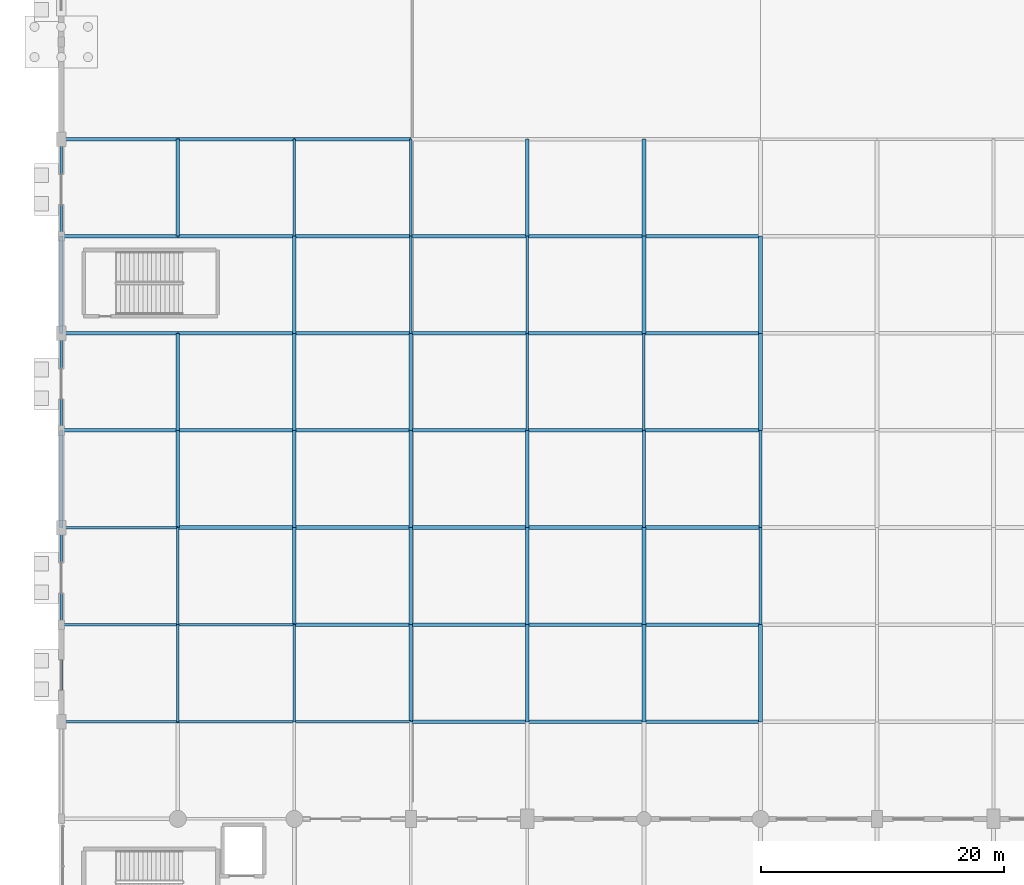
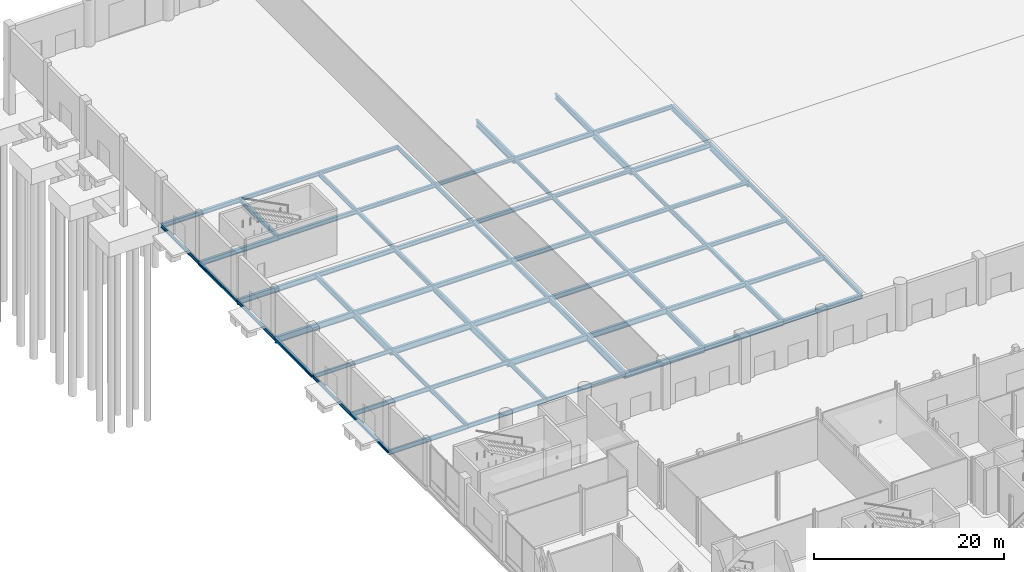
# One storey, part 48 of 124: 79 beams.
"""IFC4 building model written with IfcOpenShell, lengths in metres."""

from ifc_helpers import new_model, si_unit, direction, frame, origin, origin_2d, place, context, subcontext, project, spatial, i_section, extrude, material, material_profile, profile_set, type_object, element, save


model = new_model("IFC4")

# Units and contexts
model_context = context("Model", 3, precision=1e-05, world=origin(), true_north=direction((0.0, 1.0)))
body_context = subcontext(model_context, "Body", "Model", "MODEL_VIEW")
ifc_project = project(units=[si_unit("LENGTHUNIT", "METRE"), si_unit("AREAUNIT", "SQUARE_METRE"), si_unit("VOLUMEUNIT", "CUBIC_METRE"), si_unit("PLANEANGLEUNIT", "RADIAN"), si_unit("MASSUNIT", "GRAM", prefix="KILO")], contexts=[model_context])

# Site, building, storey
site_placement = place(None, origin())
site = spatial("IfcSite", under=ifc_project, at=site_placement, CompositionType="ELEMENT")
building_placement = place(site_placement, origin())
building = spatial("IfcBuilding", under=site, at=building_placement, Name="Danafjord Basin Convention Centre", CompositionType="ELEMENT")
storey_placement = place(building_placement, origin())
storey = spatial("IfcBuildingStorey", under=building, at=storey_placement, Name="L00", CompositionType="ELEMENT", Elevation=0.0)

# Beams
ifc_material = material(Name="Steel S355", Category="steel")
ifc_material_profile_1 = material_profile(ifc_material, i_section(OverallWidth=0.300048828125, OverallDepth=0.489990234375, WebThickness=0.011962890625, FlangeThickness=0.02294921875, FilletRadius=0.027099609375, at=origin_2d()), Name="HEA 500")
ifc_profile_set_1 = profile_set([ifc_material_profile_1], Name="Steel S355")
beam_type_1 = type_object("IfcBeamType", Name="BEAM-BM-HEA500", PredefinedType="BEAM", material=ifc_profile_set_1)
beam_1_placement = place(storey_placement, frame((48.0, 104.0, -0.6650390625), z_axis=(1.0, 0.0, 0.0), x_axis=(0.0, 1.0, 0.0)))
element("IfcBeam", 1, at=beam_1_placement, inside=storey, type_object=beam_type_1, Name="L00 girder BM-HEA500", PredefinedType="BEAM", context=body_context, shape_type="SweptSolid", body=[
    extrude(i_section(OverallWidth=0.300048828125, OverallDepth=0.489990234375, WebThickness=0.011962890625, FlangeThickness=0.02294921875, FilletRadius=0.027099609375, at=origin_2d()), origin(), (0.0, 0.0, 1.0), 9.60009765625),
])
ifc_material_profile_2 = material_profile(ifc_material, i_section(OverallWidth=0.300048828125, OverallDepth=0.590087890625, WebThickness=0.012939453125, FlangeThickness=0.02490234375, FilletRadius=0.027099609375, at=origin_2d()), Name="HEA 600")
ifc_profile_set_2 = profile_set([ifc_material_profile_2], Name="Steel S355")
beam_type_2 = type_object("IfcBeamType", Name="BEAM-BM-HEA600", PredefinedType="BEAM", material=ifc_profile_set_2)
for number, where, z_axis, x_axis, name in (
    (2, (38.39990234375, 104.0, -0.715087890625), (1.0, 0.0, 0.0), (0.0, 1.0, 0.0), "L00 girder BM-HEA600"),
    (3, (48.0, 96.0, -0.7451171875), (1.0, 0.0, 0.0), (0.0, 1.0, 0.0), "L00 girder BM-HEA600"),
):
    element("IfcBeam", number, at=place(storey_placement, frame(where, z_axis=z_axis, x_axis=x_axis)), inside=storey, type_object=beam_type_2, Name=name, PredefinedType="BEAM", context=body_context, shape_type="SweptSolid", body=[
        extrude(i_section(OverallWidth=0.300048828125, OverallDepth=0.590087890625, WebThickness=0.012939453125, FlangeThickness=0.02490234375, FilletRadius=0.027099609375, at=origin_2d()), origin(), (0.0, 0.0, 1.0), 9.60009765625),
    ])
ifc_material_profile_3 = material_profile(ifc_material, i_section(OverallWidth=0.300048828125, OverallDepth=0.449951171875, WebThickness=0.013916015625, FlangeThickness=0.02587890625, FilletRadius=0.027099609375, at=origin_2d()), Name="HEB 450")
ifc_profile_set_3 = profile_set([ifc_material_profile_3], Name="Steel S355")
beam_type_3 = type_object("IfcBeamType", Name="BEAM-BM-HEB450", PredefinedType="BEAM", material=ifc_profile_set_3)
beam_2_placement = place(storey_placement, frame((19.199951171875, 112.0, -0.64501953125), z_axis=(1.0, 0.0, 0.0), x_axis=(0.0, 1.0, 0.0)))
element("IfcBeam", 4, at=beam_2_placement, inside=storey, type_object=beam_type_3, Name="L00 girder BM-HEB450", PredefinedType="BEAM", context=body_context, shape_type="SweptSolid", body=[
    extrude(i_section(OverallWidth=0.300048828125, OverallDepth=0.449951171875, WebThickness=0.013916015625, FlangeThickness=0.02587890625, FilletRadius=0.027099609375, at=origin_2d()), origin(), (0.0, 0.0, 1.0), 9.60009765625),
])
beam_3_placement = place(storey_placement, frame((28.800048828125, 104.0, -0.64501953125), z_axis=(1.0, 0.0, 0.0), x_axis=(0.0, 1.0, 0.0)))
element("IfcBeam", 5, at=beam_3_placement, inside=storey, type_object=beam_type_3, Name="L00 girder BM-HEB450", PredefinedType="BEAM", context=body_context, shape_type="SweptSolid", body=[
    extrude(i_section(OverallWidth=0.300048828125, OverallDepth=0.449951171875, WebThickness=0.013916015625, FlangeThickness=0.02587890625, FilletRadius=0.027099609375, at=origin_2d()), origin(), (0.0, 0.0, 1.0), 9.599853515625),
])
for number, where, z_axis, x_axis, name in (
    (6, (38.39990234375, 96.0, -0.675048828125), (1.0, 0.0, 0.0), (0.0, 1.0, 0.0), "L00 girder BM-HEB450"),
    (7, (48.0, 88.0, -0.675048828125), (1.0, 0.0, 0.0), (0.0, 1.0, 0.0), "L00 girder BM-HEB450"),
):
    element("IfcBeam", number, at=place(storey_placement, frame(where, z_axis=z_axis, x_axis=x_axis)), inside=storey, type_object=beam_type_3, Name=name, PredefinedType="BEAM", context=body_context, shape_type="SweptSolid", body=[
        extrude(i_section(OverallWidth=0.300048828125, OverallDepth=0.449951171875, WebThickness=0.013916015625, FlangeThickness=0.02587890625, FilletRadius=0.027099609375, at=origin_2d()), origin(), (0.0, 0.0, 1.0), 9.60009765625),
    ])
ifc_material_profile_4 = material_profile(ifc_material, i_section(OverallWidth=0.300048828125, OverallDepth=0.5, WebThickness=0.014404296875, FlangeThickness=0.028076171875, FilletRadius=0.027099609375, at=origin_2d()), Name="HEB 500")
ifc_profile_set_4 = profile_set([ifc_material_profile_4], Name="Steel S355")
beam_type_4 = type_object("IfcBeamType", Name="BEAM-BM-HEB500", PredefinedType="BEAM", material=ifc_profile_set_4)
beam_4_placement = place(storey_placement, frame((9.60009765625, 112.0, -0.669921875), z_axis=(1.0, 0.0, 0.0), x_axis=(0.0, 1.0, 0.0)))
element("IfcBeam", 8, at=beam_4_placement, inside=storey, type_object=beam_type_4, Name="L00 girder BM-HEB500", PredefinedType="BEAM", context=body_context, shape_type="SweptSolid", body=[
    extrude(i_section(OverallWidth=0.300048828125, OverallDepth=0.5, WebThickness=0.014404296875, FlangeThickness=0.028076171875, FilletRadius=0.027099609375, at=origin_2d()), origin(), (0.0, 0.0, 1.0), 9.599853515625),
])
beam_5_placement = place(storey_placement, frame((19.199951171875, 104.0, -0.669921875), z_axis=(1.0, 0.0, 0.0), x_axis=(0.0, 1.0, 0.0)))
element("IfcBeam", 9, at=beam_5_placement, inside=storey, type_object=beam_type_4, Name="L00 girder BM-HEB500", PredefinedType="BEAM", context=body_context, shape_type="SweptSolid", body=[
    extrude(i_section(OverallWidth=0.300048828125, OverallDepth=0.5, WebThickness=0.014404296875, FlangeThickness=0.028076171875, FilletRadius=0.027099609375, at=origin_2d()), origin(), (0.0, 0.0, 1.0), 9.60009765625),
])
beam_6_placement = place(storey_placement, frame((28.800048828125, 96.0, -0.699951171875), z_axis=(1.0, 0.0, 0.0), x_axis=(0.0, 1.0, 0.0)))
element("IfcBeam", 10, at=beam_6_placement, inside=storey, type_object=beam_type_4, Name="L00 girder BM-HEB500", PredefinedType="BEAM", context=body_context, shape_type="SweptSolid", body=[
    extrude(i_section(OverallWidth=0.300048828125, OverallDepth=0.5, WebThickness=0.014404296875, FlangeThickness=0.028076171875, FilletRadius=0.027099609375, at=origin_2d()), origin(), (0.0, 0.0, 1.0), 9.599853515625),
])
for number, where, z_axis, x_axis, name in (
    (11, (38.39990234375, 88.0, -0.699951171875), (1.0, 0.0, 0.0), (0.0, 1.0, 0.0), "L00 girder BM-HEB500"),
    (12, (48.0, 80.0, -0.699951171875), (1.0, 0.0, 0.0), (0.0, 1.0, 0.0), "L00 girder BM-HEB500"),
):
    element("IfcBeam", number, at=place(storey_placement, frame(where, z_axis=z_axis, x_axis=x_axis)), inside=storey, type_object=beam_type_4, Name=name, PredefinedType="BEAM", context=body_context, shape_type="SweptSolid", body=[
        extrude(i_section(OverallWidth=0.300048828125, OverallDepth=0.5, WebThickness=0.014404296875, FlangeThickness=0.028076171875, FilletRadius=0.027099609375, at=origin_2d()), origin(), (0.0, 0.0, 1.0), 9.60009765625),
    ])
for number, where, z_axis, x_axis, name in (
    (13, (9.60009765625, 104.0, -0.669921875), (0.0, 1.0, 0.0), (-1.0, 0.0, 0.0), "L00 transverse girder BM-HEB500"),
    (14, (19.199951171875, 96.0, -0.669921875), (0.0, 1.0, 0.0), (-1.0, 0.0, 0.0), "L00 transverse girder BM-HEB500"),
    (15, (28.800048828125, 88.0, -0.699951171875), (0.0, 1.0, 0.0), (-1.0, 0.0, 0.0), "L00 transverse girder BM-HEB500"),
    (16, (38.39990234375, 80.0, -0.699951171875), (0.0, 1.0, 0.0), (-1.0, 0.0, 0.0), "L00 transverse girder BM-HEB500"),
    (17, (48.0, 72.0, -0.699951171875), (0.0, 1.0, 0.0), (-1.0, 0.0, 0.0), "L00 transverse girder BM-HEB500"),
    (18, (57.60009765625, 64.0, -0.699951171875), (0.0, 1.0, 0.0), (-1.0, 0.0, 0.0), "L00 transverse girder BM-HEB500"),
):
    element("IfcBeam", number, at=place(storey_placement, frame(where, z_axis=z_axis, x_axis=x_axis)), inside=storey, type_object=beam_type_4, Name=name, PredefinedType="BEAM", context=body_context, shape_type="SweptSolid", body=[
        extrude(i_section(OverallWidth=0.300048828125, OverallDepth=0.5, WebThickness=0.014404296875, FlangeThickness=0.028076171875, FilletRadius=0.027099609375, at=origin_2d()), origin(), (0.0, 0.0, 1.0), 8.0),
    ])
ifc_material_profile_5 = material_profile(ifc_material, i_section(OverallWidth=0.300048828125, OverallDepth=0.550048828125, WebThickness=0.014892578125, FlangeThickness=0.029052734375, FilletRadius=0.027099609375, at=origin_2d()), Name="HEB 550")
ifc_profile_set_5 = profile_set([ifc_material_profile_5], Name="Steel S355")
beam_type_5 = type_object("IfcBeamType", Name="BEAM-BM-HEB550", PredefinedType="BEAM", material=ifc_profile_set_5)
beam_7_placement = place(storey_placement, frame((0.0, 112.0, -0.695068359375), z_axis=(1.0, 0.0, 0.0), x_axis=(0.0, 1.0, 0.0)))
element("IfcBeam", 19, at=beam_7_placement, inside=storey, type_object=beam_type_5, Name="L00 girder BM-HEB550", PredefinedType="BEAM", context=body_context, shape_type="SweptSolid", body=[
    extrude(i_section(OverallWidth=0.300048828125, OverallDepth=0.550048828125, WebThickness=0.014892578125, FlangeThickness=0.029052734375, FilletRadius=0.027099609375, at=origin_2d()), origin(), (0.0, 0.0, 1.0), 9.60009765625),
])
beam_8_placement = place(storey_placement, frame((9.60009765625, 104.0, -0.695068359375), z_axis=(1.0, 0.0, 0.0), x_axis=(0.0, 1.0, 0.0)))
element("IfcBeam", 20, at=beam_8_placement, inside=storey, type_object=beam_type_5, Name="L00 girder BM-HEB550", PredefinedType="BEAM", context=body_context, shape_type="SweptSolid", body=[
    extrude(i_section(OverallWidth=0.300048828125, OverallDepth=0.550048828125, WebThickness=0.014892578125, FlangeThickness=0.029052734375, FilletRadius=0.027099609375, at=origin_2d()), origin(), (0.0, 0.0, 1.0), 9.599853515625),
])
beam_9_placement = place(storey_placement, frame((19.199951171875, 96.0, -0.72509765625), z_axis=(1.0, 0.0, 0.0), x_axis=(0.0, 1.0, 0.0)))
element("IfcBeam", 21, at=beam_9_placement, inside=storey, type_object=beam_type_5, Name="L00 girder BM-HEB550", PredefinedType="BEAM", context=body_context, shape_type="SweptSolid", body=[
    extrude(i_section(OverallWidth=0.300048828125, OverallDepth=0.550048828125, WebThickness=0.014892578125, FlangeThickness=0.029052734375, FilletRadius=0.027099609375, at=origin_2d()), origin(), (0.0, 0.0, 1.0), 9.60009765625),
])
beam_10_placement = place(storey_placement, frame((28.800048828125, 88.0, -0.72509765625), z_axis=(1.0, 0.0, 0.0), x_axis=(0.0, 1.0, 0.0)))
element("IfcBeam", 22, at=beam_10_placement, inside=storey, type_object=beam_type_5, Name="L00 girder BM-HEB550", PredefinedType="BEAM", context=body_context, shape_type="SweptSolid", body=[
    extrude(i_section(OverallWidth=0.300048828125, OverallDepth=0.550048828125, WebThickness=0.014892578125, FlangeThickness=0.029052734375, FilletRadius=0.027099609375, at=origin_2d()), origin(), (0.0, 0.0, 1.0), 9.599853515625),
])
for number, where, z_axis, x_axis, name in (
    (23, (38.39990234375, 80.0, -0.72509765625), (1.0, 0.0, 0.0), (0.0, 1.0, 0.0), "L00 girder BM-HEB550"),
    (24, (48.0, 72.0, -0.72509765625), (1.0, 0.0, 0.0), (0.0, 1.0, 0.0), "L00 girder BM-HEB550"),
):
    element("IfcBeam", number, at=place(storey_placement, frame(where, z_axis=z_axis, x_axis=x_axis)), inside=storey, type_object=beam_type_5, Name=name, PredefinedType="BEAM", context=body_context, shape_type="SweptSolid", body=[
        extrude(i_section(OverallWidth=0.300048828125, OverallDepth=0.550048828125, WebThickness=0.014892578125, FlangeThickness=0.029052734375, FilletRadius=0.027099609375, at=origin_2d()), origin(), (0.0, 0.0, 1.0), 9.60009765625),
    ])
ifc_material_profile_6 = material_profile(ifc_material, i_section(OverallWidth=0.300048828125, OverallDepth=0.60009765625, WebThickness=0.015380859375, FlangeThickness=0.030029296875, FilletRadius=0.027099609375, at=origin_2d()), Name="HEB 600")
ifc_profile_set_6 = profile_set([ifc_material_profile_6], Name="Steel S355")
beam_type_6 = type_object("IfcBeamType", Name="BEAM-BM-HEB600", PredefinedType="BEAM", material=ifc_profile_set_6)
beam_11_placement = place(storey_placement, frame((0.0, 104.0, -0.719970703125), z_axis=(1.0, 0.0, 0.0), x_axis=(0.0, 1.0, 0.0)))
element("IfcBeam", 25, at=beam_11_placement, inside=storey, type_object=beam_type_6, Name="L00 girder BM-HEB600", PredefinedType="BEAM", context=body_context, shape_type="SweptSolid", body=[
    extrude(i_section(OverallWidth=0.300048828125, OverallDepth=0.60009765625, WebThickness=0.015380859375, FlangeThickness=0.030029296875, FilletRadius=0.027099609375, at=origin_2d()), origin(), (0.0, 0.0, 1.0), 9.60009765625),
])
beam_12_placement = place(storey_placement, frame((9.60009765625, 96.0, -0.75), z_axis=(1.0, 0.0, 0.0), x_axis=(0.0, 1.0, 0.0)))
element("IfcBeam", 26, at=beam_12_placement, inside=storey, type_object=beam_type_6, Name="L00 girder BM-HEB600", PredefinedType="BEAM", context=body_context, shape_type="SweptSolid", body=[
    extrude(i_section(OverallWidth=0.300048828125, OverallDepth=0.60009765625, WebThickness=0.015380859375, FlangeThickness=0.030029296875, FilletRadius=0.027099609375, at=origin_2d()), origin(), (0.0, 0.0, 1.0), 9.599853515625),
])
beam_13_placement = place(storey_placement, frame((19.199951171875, 88.0, -0.75), z_axis=(1.0, 0.0, 0.0), x_axis=(0.0, 1.0, 0.0)))
element("IfcBeam", 27, at=beam_13_placement, inside=storey, type_object=beam_type_6, Name="L00 girder BM-HEB600", PredefinedType="BEAM", context=body_context, shape_type="SweptSolid", body=[
    extrude(i_section(OverallWidth=0.300048828125, OverallDepth=0.60009765625, WebThickness=0.015380859375, FlangeThickness=0.030029296875, FilletRadius=0.027099609375, at=origin_2d()), origin(), (0.0, 0.0, 1.0), 9.60009765625),
])
beam_14_placement = place(storey_placement, frame((28.800048828125, 80.0, -0.75), z_axis=(1.0, 0.0, 0.0), x_axis=(0.0, 1.0, 0.0)))
element("IfcBeam", 28, at=beam_14_placement, inside=storey, type_object=beam_type_6, Name="L00 girder BM-HEB600", PredefinedType="BEAM", context=body_context, shape_type="SweptSolid", body=[
    extrude(i_section(OverallWidth=0.300048828125, OverallDepth=0.60009765625, WebThickness=0.015380859375, FlangeThickness=0.030029296875, FilletRadius=0.027099609375, at=origin_2d()), origin(), (0.0, 0.0, 1.0), 9.599853515625),
])
for number, where, z_axis, x_axis, name in (
    (29, (38.39990234375, 72.0, -0.75), (1.0, 0.0, 0.0), (0.0, 1.0, 0.0), "L00 girder BM-HEB600"),
    (30, (48.0, 64.0, -0.75), (1.0, 0.0, 0.0), (0.0, 1.0, 0.0), "L00 girder BM-HEB600"),
):
    element("IfcBeam", number, at=place(storey_placement, frame(where, z_axis=z_axis, x_axis=x_axis)), inside=storey, type_object=beam_type_6, Name=name, PredefinedType="BEAM", context=body_context, shape_type="SweptSolid", body=[
        extrude(i_section(OverallWidth=0.300048828125, OverallDepth=0.60009765625, WebThickness=0.015380859375, FlangeThickness=0.030029296875, FilletRadius=0.027099609375, at=origin_2d()), origin(), (0.0, 0.0, 1.0), 9.60009765625),
    ])
for number, where, z_axis, x_axis, name in (
    (31, (19.199951171875, 88.0, -0.75), (0.0, 1.0, 0.0), (-1.0, 0.0, 0.0), "L00 transverse girder BM-HEB600"),
    (32, (28.800048828125, 80.0, -0.75), (0.0, 1.0, 0.0), (-1.0, 0.0, 0.0), "L00 transverse girder BM-HEB600"),
    (33, (38.39990234375, 72.0, -0.75), (0.0, 1.0, 0.0), (-1.0, 0.0, 0.0), "L00 transverse girder BM-HEB600"),
    (34, (48.0, 64.0, -0.75), (0.0, 1.0, 0.0), (-1.0, 0.0, 0.0), "L00 transverse girder BM-HEB600"),
):
    element("IfcBeam", number, at=place(storey_placement, frame(where, z_axis=z_axis, x_axis=x_axis)), inside=storey, type_object=beam_type_6, Name=name, PredefinedType="BEAM", context=body_context, shape_type="SweptSolid", body=[
        extrude(i_section(OverallWidth=0.300048828125, OverallDepth=0.60009765625, WebThickness=0.015380859375, FlangeThickness=0.030029296875, FilletRadius=0.027099609375, at=origin_2d()), origin(), (0.0, 0.0, 1.0), 8.0),
    ])
ifc_material_profile_7 = material_profile(ifc_material, i_section(OverallWidth=0.300048828125, OverallDepth=0.699951171875, WebThickness=0.01708984375, FlangeThickness=0.031982421875, FilletRadius=0.027099609375, at=origin_2d()), Name="HEB 700")
ifc_profile_set_7 = profile_set([ifc_material_profile_7], Name="Steel S355")
beam_type_7 = type_object("IfcBeamType", Name="BEAM-BM-HEB700", PredefinedType="BEAM", material=ifc_profile_set_7)
beam_15_placement = place(storey_placement, frame((0.0, 96.0, -0.800048828125), z_axis=(1.0, 0.0, 0.0), x_axis=(0.0, 1.0, 0.0)))
element("IfcBeam", 35, at=beam_15_placement, inside=storey, type_object=beam_type_7, Name="L00 girder BM-HEB700", PredefinedType="BEAM", context=body_context, shape_type="SweptSolid", body=[
    extrude(i_section(OverallWidth=0.300048828125, OverallDepth=0.699951171875, WebThickness=0.01708984375, FlangeThickness=0.031982421875, FilletRadius=0.027099609375, at=origin_2d()), origin(), (0.0, 0.0, 1.0), 9.60009765625),
])
beam_16_placement = place(storey_placement, frame((9.60009765625, 88.0, -0.800048828125), z_axis=(1.0, 0.0, 0.0), x_axis=(0.0, 1.0, 0.0)))
element("IfcBeam", 36, at=beam_16_placement, inside=storey, type_object=beam_type_7, Name="L00 girder BM-HEB700", PredefinedType="BEAM", context=body_context, shape_type="SweptSolid", body=[
    extrude(i_section(OverallWidth=0.300048828125, OverallDepth=0.699951171875, WebThickness=0.01708984375, FlangeThickness=0.031982421875, FilletRadius=0.027099609375, at=origin_2d()), origin(), (0.0, 0.0, 1.0), 9.599853515625),
])
beam_17_placement = place(storey_placement, frame((19.199951171875, 80.0, -0.800048828125), z_axis=(1.0, 0.0, 0.0), x_axis=(0.0, 1.0, 0.0)))
element("IfcBeam", 37, at=beam_17_placement, inside=storey, type_object=beam_type_7, Name="L00 girder BM-HEB700", PredefinedType="BEAM", context=body_context, shape_type="SweptSolid", body=[
    extrude(i_section(OverallWidth=0.300048828125, OverallDepth=0.699951171875, WebThickness=0.01708984375, FlangeThickness=0.031982421875, FilletRadius=0.027099609375, at=origin_2d()), origin(), (0.0, 0.0, 1.0), 9.60009765625),
])
beam_18_placement = place(storey_placement, frame((28.800048828125, 72.0, -0.800048828125), z_axis=(1.0, 0.0, 0.0), x_axis=(0.0, 1.0, 0.0)))
element("IfcBeam", 38, at=beam_18_placement, inside=storey, type_object=beam_type_7, Name="L00 girder BM-HEB700", PredefinedType="BEAM", context=body_context, shape_type="SweptSolid", body=[
    extrude(i_section(OverallWidth=0.300048828125, OverallDepth=0.699951171875, WebThickness=0.01708984375, FlangeThickness=0.031982421875, FilletRadius=0.027099609375, at=origin_2d()), origin(), (0.0, 0.0, 1.0), 9.599853515625),
])
beam_19_placement = place(storey_placement, frame((38.39990234375, 64.0, -0.800048828125), z_axis=(1.0, 0.0, 0.0), x_axis=(0.0, 1.0, 0.0)))
element("IfcBeam", 39, at=beam_19_placement, inside=storey, type_object=beam_type_7, Name="L00 girder BM-HEB700", PredefinedType="BEAM", context=body_context, shape_type="SweptSolid", body=[
    extrude(i_section(OverallWidth=0.300048828125, OverallDepth=0.699951171875, WebThickness=0.01708984375, FlangeThickness=0.031982421875, FilletRadius=0.027099609375, at=origin_2d()), origin(), (0.0, 0.0, 1.0), 9.60009765625),
])
for number, where, z_axis, x_axis, name in (
    (40, (9.60009765625, 88.0, -0.800048828125), (0.0, 1.0, 0.0), (-1.0, 0.0, 0.0), "L00 transverse girder BM-HEB700"),
    (41, (19.199951171875, 80.0, -0.800048828125), (0.0, 1.0, 0.0), (-1.0, 0.0, 0.0), "L00 transverse girder BM-HEB700"),
    (42, (28.800048828125, 72.0, -0.800048828125), (0.0, 1.0, 0.0), (-1.0, 0.0, 0.0), "L00 transverse girder BM-HEB700"),
    (43, (38.39990234375, 64.0, -0.800048828125), (0.0, 1.0, 0.0), (-1.0, 0.0, 0.0), "L00 transverse girder BM-HEB700"),
    (44, (48.0, 104.0, -0.77001953125), (0.0, 1.0, 0.0), (-1.0, 0.0, 0.0), "L00 transverse girder BM-HEB700"),
    (45, (57.60009765625, 96.0, -0.77001953125), (0.0, 1.0, 0.0), (-1.0, 0.0, 0.0), "L00 transverse girder BM-HEB700"),
):
    element("IfcBeam", number, at=place(storey_placement, frame(where, z_axis=z_axis, x_axis=x_axis)), inside=storey, type_object=beam_type_7, Name=name, PredefinedType="BEAM", context=body_context, shape_type="SweptSolid", body=[
        extrude(i_section(OverallWidth=0.300048828125, OverallDepth=0.699951171875, WebThickness=0.01708984375, FlangeThickness=0.031982421875, FilletRadius=0.027099609375, at=origin_2d()), origin(), (0.0, 0.0, 1.0), 8.0),
    ])
ifc_material_profile_8 = material_profile(ifc_material, i_section(OverallWidth=0.300048828125, OverallDepth=0.800048828125, WebThickness=0.017578125, FlangeThickness=0.032958984375, FilletRadius=0.030029296875, at=origin_2d()), Name="HEB 800")
ifc_profile_set_8 = profile_set([ifc_material_profile_8], Name="Steel S355")
beam_type_8 = type_object("IfcBeamType", Name="BEAM-BM-HEB800", PredefinedType="BEAM", material=ifc_profile_set_8)
beam_20_placement = place(storey_placement, frame((0.0, 88.0, -0.85009765625), z_axis=(1.0, 0.0, 0.0), x_axis=(0.0, 1.0, 0.0)))
element("IfcBeam", 46, at=beam_20_placement, inside=storey, type_object=beam_type_8, Name="L00 girder BM-HEB800", PredefinedType="BEAM", context=body_context, shape_type="SweptSolid", body=[
    extrude(i_section(OverallWidth=0.300048828125, OverallDepth=0.800048828125, WebThickness=0.017578125, FlangeThickness=0.032958984375, FilletRadius=0.030029296875, at=origin_2d()), origin(), (0.0, 0.0, 1.0), 9.60009765625),
])
beam_21_placement = place(storey_placement, frame((9.60009765625, 80.0, -0.85009765625), z_axis=(1.0, 0.0, 0.0), x_axis=(0.0, 1.0, 0.0)))
element("IfcBeam", 47, at=beam_21_placement, inside=storey, type_object=beam_type_8, Name="L00 girder BM-HEB800", PredefinedType="BEAM", context=body_context, shape_type="SweptSolid", body=[
    extrude(i_section(OverallWidth=0.300048828125, OverallDepth=0.800048828125, WebThickness=0.017578125, FlangeThickness=0.032958984375, FilletRadius=0.030029296875, at=origin_2d()), origin(), (0.0, 0.0, 1.0), 9.599853515625),
])
beam_22_placement = place(storey_placement, frame((19.199951171875, 72.0, -0.85009765625), z_axis=(1.0, 0.0, 0.0), x_axis=(0.0, 1.0, 0.0)))
element("IfcBeam", 48, at=beam_22_placement, inside=storey, type_object=beam_type_8, Name="L00 girder BM-HEB800", PredefinedType="BEAM", context=body_context, shape_type="SweptSolid", body=[
    extrude(i_section(OverallWidth=0.300048828125, OverallDepth=0.800048828125, WebThickness=0.017578125, FlangeThickness=0.032958984375, FilletRadius=0.030029296875, at=origin_2d()), origin(), (0.0, 0.0, 1.0), 9.60009765625),
])
beam_23_placement = place(storey_placement, frame((28.800048828125, 64.0, -0.85009765625), z_axis=(1.0, 0.0, 0.0), x_axis=(0.0, 1.0, 0.0)))
element("IfcBeam", 49, at=beam_23_placement, inside=storey, type_object=beam_type_8, Name="L00 girder BM-HEB800", PredefinedType="BEAM", context=body_context, shape_type="SweptSolid", body=[
    extrude(i_section(OverallWidth=0.300048828125, OverallDepth=0.800048828125, WebThickness=0.017578125, FlangeThickness=0.032958984375, FilletRadius=0.030029296875, at=origin_2d()), origin(), (0.0, 0.0, 1.0), 9.599853515625),
])
ifc_material_profile_9 = material_profile(ifc_material, i_section(OverallWidth=0.300048828125, OverallDepth=0.89990234375, WebThickness=0.0185546875, FlangeThickness=0.034912109375, FilletRadius=0.030029296875, at=origin_2d()), Name="HEB 900")
ifc_profile_set_9 = profile_set([ifc_material_profile_9], Name="Steel S355")
beam_type_9 = type_object("IfcBeamType", Name="BEAM-BM-HEB900", PredefinedType="BEAM", material=ifc_profile_set_9)
for number, where, z_axis, x_axis, name in (
    (50, (9.60009765625, 80.0, -0.89990234375), (0.0, 1.0, 0.0), (-1.0, 0.0, 0.0), "L00 transverse girder BM-HEB900"),
    (51, (19.199951171875, 72.0, -0.89990234375), (0.0, 1.0, 0.0), (-1.0, 0.0, 0.0), "L00 transverse girder BM-HEB900"),
    (52, (28.800048828125, 64.0, -0.89990234375), (0.0, 1.0, 0.0), (-1.0, 0.0, 0.0), "L00 transverse girder BM-HEB900"),
    (53, (38.39990234375, 104.0, -0.8701171875), (0.0, 1.0, 0.0), (-1.0, 0.0, 0.0), "L00 transverse girder BM-HEB900"),
    (54, (48.0, 96.0, -0.8701171875), (0.0, 1.0, 0.0), (-1.0, 0.0, 0.0), "L00 transverse girder BM-HEB900"),
    (55, (57.60009765625, 88.0, -0.89990234375), (0.0, 1.0, 0.0), (-1.0, 0.0, 0.0), "L00 transverse girder BM-HEB900"),
):
    element("IfcBeam", number, at=place(storey_placement, frame(where, z_axis=z_axis, x_axis=x_axis)), inside=storey, type_object=beam_type_9, Name=name, PredefinedType="BEAM", context=body_context, shape_type="SweptSolid", body=[
        extrude(i_section(OverallWidth=0.300048828125, OverallDepth=0.89990234375, WebThickness=0.0185546875, FlangeThickness=0.034912109375, FilletRadius=0.030029296875, at=origin_2d()), origin(), (0.0, 0.0, 1.0), 8.0),
    ])
ifc_material_profile_10 = material_profile(ifc_material, i_section(OverallWidth=0.199951171875, OverallDepth=0.5, WebThickness=0.01025390625, FlangeThickness=0.01611328125, FilletRadius=0.02099609375, at=origin_2d()), Name="IPE 500")
ifc_profile_set_10 = profile_set([ifc_material_profile_10], Name="Steel S355")
beam_type_10 = type_object("IfcBeamType", Name="BEAM-BM-IPE500", PredefinedType="BEAM", material=ifc_profile_set_10)
beam_24_placement = place(storey_placement, frame((0.0, 80.0, -0.699951171875), z_axis=(1.0, 0.0, 0.0), x_axis=(0.0, 1.0, 0.0)))
element("IfcBeam", 56, at=beam_24_placement, inside=storey, type_object=beam_type_10, Name="L00 girder BM-IPE500", PredefinedType="BEAM", context=body_context, shape_type="SweptSolid", body=[
    extrude(i_section(OverallWidth=0.199951171875, OverallDepth=0.5, WebThickness=0.01025390625, FlangeThickness=0.01611328125, FilletRadius=0.02099609375, at=origin_2d()), origin(), (0.0, 0.0, 1.0), 9.60009765625),
])
beam_25_placement = place(storey_placement, frame((9.60009765625, 72.0, -0.699951171875), z_axis=(1.0, 0.0, 0.0), x_axis=(0.0, 1.0, 0.0)))
element("IfcBeam", 57, at=beam_25_placement, inside=storey, type_object=beam_type_10, Name="L00 girder BM-IPE500", PredefinedType="BEAM", context=body_context, shape_type="SweptSolid", body=[
    extrude(i_section(OverallWidth=0.199951171875, OverallDepth=0.5, WebThickness=0.01025390625, FlangeThickness=0.01611328125, FilletRadius=0.02099609375, at=origin_2d()), origin(), (0.0, 0.0, 1.0), 9.599853515625),
])
beam_26_placement = place(storey_placement, frame((19.199951171875, 64.0, -0.699951171875), z_axis=(1.0, 0.0, 0.0), x_axis=(0.0, 1.0, 0.0)))
element("IfcBeam", 58, at=beam_26_placement, inside=storey, type_object=beam_type_10, Name="L00 girder BM-IPE500", PredefinedType="BEAM", context=body_context, shape_type="SweptSolid", body=[
    extrude(i_section(OverallWidth=0.199951171875, OverallDepth=0.5, WebThickness=0.01025390625, FlangeThickness=0.01611328125, FilletRadius=0.02099609375, at=origin_2d()), origin(), (0.0, 0.0, 1.0), 9.60009765625),
])
ifc_material_profile_11 = material_profile(ifc_material, i_section(OverallWidth=0.2099609375, OverallDepth=0.550048828125, WebThickness=0.010986328125, FlangeThickness=0.01708984375, FilletRadius=0.02392578125, at=origin_2d()), Name="IPE 550")
ifc_profile_set_11 = profile_set([ifc_material_profile_11], Name="Steel S355")
beam_type_11 = type_object("IfcBeamType", Name="BEAM-BM-IPE550", PredefinedType="BEAM", material=ifc_profile_set_11)
beam_27_placement = place(storey_placement, frame((0.0, 72.0, -0.72509765625), z_axis=(1.0, 0.0, 0.0), x_axis=(0.0, 1.0, 0.0)))
element("IfcBeam", 59, at=beam_27_placement, inside=storey, type_object=beam_type_11, Name="L00 girder BM-IPE550", PredefinedType="BEAM", context=body_context, shape_type="SweptSolid", body=[
    extrude(i_section(OverallWidth=0.2099609375, OverallDepth=0.550048828125, WebThickness=0.010986328125, FlangeThickness=0.01708984375, FilletRadius=0.02392578125, at=origin_2d()), origin(), (0.0, 0.0, 1.0), 9.60009765625),
])
beam_28_placement = place(storey_placement, frame((9.60009765625, 64.0, -0.72509765625), z_axis=(1.0, 0.0, 0.0), x_axis=(0.0, 1.0, 0.0)))
element("IfcBeam", 60, at=beam_28_placement, inside=storey, type_object=beam_type_11, Name="L00 girder BM-IPE550", PredefinedType="BEAM", context=body_context, shape_type="SweptSolid", body=[
    extrude(i_section(OverallWidth=0.2099609375, OverallDepth=0.550048828125, WebThickness=0.010986328125, FlangeThickness=0.01708984375, FilletRadius=0.02392578125, at=origin_2d()), origin(), (0.0, 0.0, 1.0), 9.599853515625),
])
for number, where, z_axis, x_axis, name in (
    (61, (9.60009765625, 72.0, -0.72509765625), (0.0, 1.0, 0.0), (-1.0, 0.0, 0.0), "L00 transverse girder BM-IPE550"),
    (62, (19.199951171875, 64.0, -0.72509765625), (0.0, 1.0, 0.0), (-1.0, 0.0, 0.0), "L00 transverse girder BM-IPE550"),
    (63, (28.800048828125, 104.0, -0.695068359375), (0.0, 1.0, 0.0), (-1.0, 0.0, 0.0), "L00 transverse girder BM-IPE550"),
    (64, (38.39990234375, 96.0, -0.695068359375), (0.0, 1.0, 0.0), (-1.0, 0.0, 0.0), "L00 transverse girder BM-IPE550"),
    (65, (48.0, 88.0, -0.72509765625), (0.0, 1.0, 0.0), (-1.0, 0.0, 0.0), "L00 transverse girder BM-IPE550"),
    (66, (57.60009765625, 80.0, -0.72509765625), (0.0, 1.0, 0.0), (-1.0, 0.0, 0.0), "L00 transverse girder BM-IPE550"),
):
    element("IfcBeam", number, at=place(storey_placement, frame(where, z_axis=z_axis, x_axis=x_axis)), inside=storey, type_object=beam_type_11, Name=name, PredefinedType="BEAM", context=body_context, shape_type="SweptSolid", body=[
        extrude(i_section(OverallWidth=0.2099609375, OverallDepth=0.550048828125, WebThickness=0.010986328125, FlangeThickness=0.01708984375, FilletRadius=0.02392578125, at=origin_2d()), origin(), (0.0, 0.0, 1.0), 8.0),
    ])
ifc_material_profile_12 = material_profile(ifc_material, i_section(OverallWidth=0.219970703125, OverallDepth=0.60009765625, WebThickness=0.011962890625, FlangeThickness=0.01904296875, FilletRadius=0.02392578125, at=origin_2d()), Name="IPE 600")
ifc_profile_set_12 = profile_set([ifc_material_profile_12], Name="Steel S355")
beam_type_12 = type_object("IfcBeamType", Name="BEAM-BM-IPE600", PredefinedType="BEAM", material=ifc_profile_set_12)
beam_29_placement = place(storey_placement, frame((0.0, 64.0, -0.75), z_axis=(1.0, 0.0, 0.0), x_axis=(0.0, 1.0, 0.0)))
element("IfcBeam", 67, at=beam_29_placement, inside=storey, type_object=beam_type_12, Name="L00 girder BM-IPE600", PredefinedType="BEAM", context=body_context, shape_type="SweptSolid", body=[
    extrude(i_section(OverallWidth=0.219970703125, OverallDepth=0.60009765625, WebThickness=0.011962890625, FlangeThickness=0.01904296875, FilletRadius=0.02392578125, at=origin_2d()), origin(), (0.0, 0.0, 1.0), 9.60009765625),
])
for number, where, z_axis, x_axis, name in (
    (68, (9.60009765625, 64.0, -0.75), (0.0, 1.0, 0.0), (-1.0, 0.0, 0.0), "L00 transverse girder BM-IPE600"),
    (69, (19.199951171875, 104.0, -0.719970703125), (0.0, 1.0, 0.0), (-1.0, 0.0, 0.0), "L00 transverse girder BM-IPE600"),
    (70, (28.800048828125, 96.0, -0.719970703125), (0.0, 1.0, 0.0), (-1.0, 0.0, 0.0), "L00 transverse girder BM-IPE600"),
    (71, (38.39990234375, 88.0, -0.75), (0.0, 1.0, 0.0), (-1.0, 0.0, 0.0), "L00 transverse girder BM-IPE600"),
    (72, (48.0, 80.0, -0.75), (0.0, 1.0, 0.0), (-1.0, 0.0, 0.0), "L00 transverse girder BM-IPE600"),
    (73, (57.60009765625, 72.0, -0.75), (0.0, 1.0, 0.0), (-1.0, 0.0, 0.0), "L00 transverse girder BM-IPE600"),
):
    element("IfcBeam", number, at=place(storey_placement, frame(where, z_axis=z_axis, x_axis=x_axis)), inside=storey, type_object=beam_type_12, Name=name, PredefinedType="BEAM", context=body_context, shape_type="SweptSolid", body=[
        extrude(i_section(OverallWidth=0.219970703125, OverallDepth=0.60009765625, WebThickness=0.011962890625, FlangeThickness=0.01904296875, FilletRadius=0.02392578125, at=origin_2d()), origin(), (0.0, 0.0, 1.0), 8.0),
    ])
ifc_material_profile_13 = material_profile(ifc_material, i_section(OverallWidth=0.300048828125, OverallDepth=0.39990234375, WebThickness=0.013427734375, FlangeThickness=0.02392578125, FilletRadius=0.027099609375, at=origin_2d()), Name="HEB 400")
ifc_profile_set_13 = profile_set([ifc_material_profile_13], Name="Steel S355")
beam_type_13 = type_object("IfcBeamType", Name="BEAM-SP-HEB400", PredefinedType="SPANDREL", material=ifc_profile_set_13)
for number, where, z_axis, x_axis, name in (
    (74, (0.0, 64.0, -0.64990234375), (0.0, 1.0, 0.0), (-1.0, 0.0, 0.0), "L00 transverse girder SP-HEB400"),
    (75, (0.0, 80.0, -0.64990234375), (0.0, 1.0, 0.0), (-1.0, 0.0, 0.0), "L00 transverse girder SP-HEB400"),
    (76, (0.0, 96.0, -0.6201171875), (0.0, 1.0, 0.0), (-1.0, 0.0, 0.0), "L00 transverse girder SP-HEB400"),
):
    element("IfcBeam", number, at=place(storey_placement, frame(where, z_axis=z_axis, x_axis=x_axis)), inside=storey, type_object=beam_type_13, Name=name, PredefinedType="SPANDREL", context=body_context, shape_type="SweptSolid", body=[
        extrude(i_section(OverallWidth=0.300048828125, OverallDepth=0.39990234375, WebThickness=0.013427734375, FlangeThickness=0.02392578125, FilletRadius=0.027099609375, at=origin_2d()), origin(), (0.0, 0.0, 1.0), 8.0),
    ])
ifc_material_profile_14 = material_profile(ifc_material, i_section(OverallWidth=0.18994140625, OverallDepth=0.449951171875, WebThickness=0.009521484375, FlangeThickness=0.0146484375, FilletRadius=0.02099609375, at=origin_2d()), Name="IPE 450")
ifc_profile_set_14 = profile_set([ifc_material_profile_14], Name="Steel S355")
beam_type_14 = type_object("IfcBeamType", Name="BEAM-SP-IPE450", PredefinedType="SPANDREL", material=ifc_profile_set_14)
for number, where, z_axis, x_axis, name in (
    (77, (0.0, 72.0, -0.675048828125), (0.0, 1.0, 0.0), (-1.0, 0.0, 0.0), "L00 transverse girder SP-IPE450"),
    (78, (0.0, 88.0, -0.675048828125), (0.0, 1.0, 0.0), (-1.0, 0.0, 0.0), "L00 transverse girder SP-IPE450"),
    (79, (0.0, 104.0, -0.64501953125), (0.0, 1.0, 0.0), (-1.0, 0.0, 0.0), "L00 transverse girder SP-IPE450"),
):
    element("IfcBeam", number, at=place(storey_placement, frame(where, z_axis=z_axis, x_axis=x_axis)), inside=storey, type_object=beam_type_14, Name=name, PredefinedType="SPANDREL", context=body_context, shape_type="SweptSolid", body=[
        extrude(i_section(OverallWidth=0.18994140625, OverallDepth=0.449951171875, WebThickness=0.009521484375, FlangeThickness=0.0146484375, FilletRadius=0.02099609375, at=origin_2d()), origin(), (0.0, 0.0, 1.0), 8.0),
    ])

save(model, "model.ifc")
